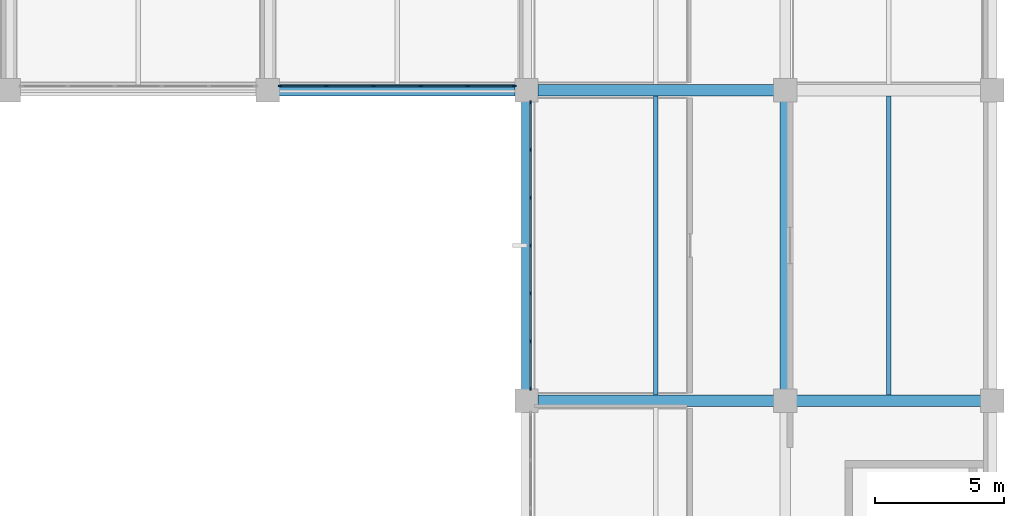
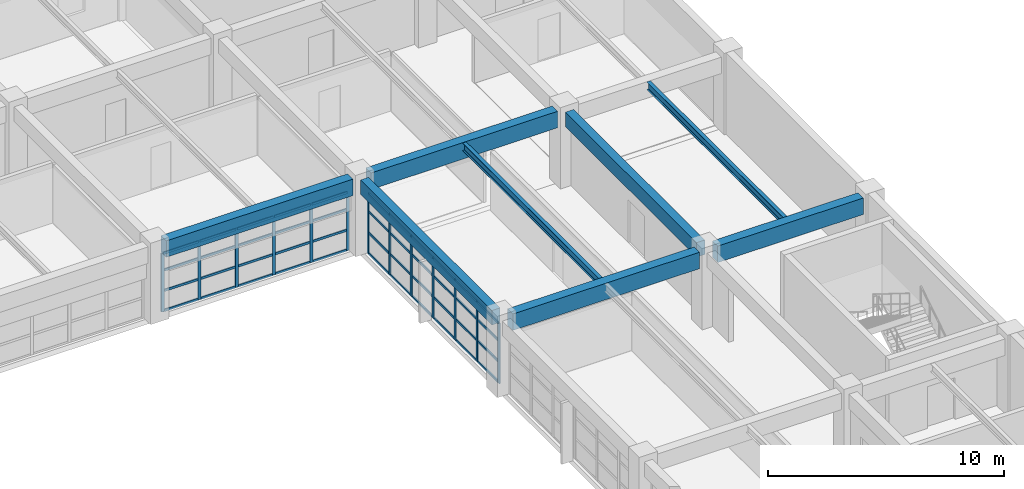
# One storey, part 60 of 100: 57 members, 8 beams, 2 elements without a shape of their own.
"""IFC4 building model written with IfcOpenShell, lengths in metres."""

from ifc_helpers import new_model, si_unit, direction, frame, origin, origin_2d, place, context, subcontext, project, spatial, rectangle, i_section, extrude, material, layer, layer_set, material_profile, profile_set, type_object, element, aggregate, save


model = new_model("IFC4")

# Units and contexts
model_context = context("Model", 3, precision=1e-05, world=origin(), true_north=direction((0.0, 1.0)))
body_context = subcontext(model_context, "Body", "Model", "MODEL_VIEW")
ifc_project = project(units=[si_unit("LENGTHUNIT", "METRE"), si_unit("AREAUNIT", "SQUARE_METRE"), si_unit("VOLUMEUNIT", "CUBIC_METRE"), si_unit("PLANEANGLEUNIT", "RADIAN"), si_unit("MASSUNIT", "GRAM", prefix="KILO")], contexts=[model_context])

# Site, building, storey
site_placement = place(None, origin())
site = spatial("IfcSite", under=ifc_project, at=site_placement, CompositionType="ELEMENT")
building_placement = place(site_placement, origin())
building = spatial("IfcBuilding", under=site, at=building_placement, Name="Kivolera Central Railway Station", CompositionType="ELEMENT")
storey_placement = place(building_placement, frame((0.0, 0.0, 5.39990234375)))
storey = spatial("IfcBuildingStorey", under=building, at=storey_placement, Name="L01", CompositionType="ELEMENT", Elevation=5.39990234375)

# Beams
ifc_material_1 = material(Name="Steel S355", Category="steel")
ifc_material_profile_1 = material_profile(ifc_material_1, i_section(OverallWidth=0.179931640625, OverallDepth=0.39990234375, WebThickness=0.008544921875, FlangeThickness=0.013427734375, FilletRadius=0.02099609375, at=origin_2d()), Name="IPE 400")
ifc_profile_set_1 = profile_set([ifc_material_profile_1], Name="Steel S355")
beam_type_1 = type_object("IfcBeamType", Name="BM-JST-IPE400", PredefinedType="JOIST", material=ifc_profile_set_1)
for number, where, z_axis, x_axis, name in (
    (1, (183.0, 102.217041015625, 3.668212890625), (0.0, 1.0, 0.0), (-1.0, 0.0, 0.0), "L01 Floor Joist 18-19/J-K"),
    (2, (192.0, 102.217041015625, 3.668212890625), (0.0, 1.0, 0.0), (-1.0, 0.0, 0.0), "L01 Floor Joist 19-20/J-K"),
):
    element("IfcBeam", number, at=place(storey_placement, frame(where, z_axis=z_axis, x_axis=x_axis)), inside=storey, type_object=beam_type_1, Name=name, PredefinedType="JOIST", context=body_context, shape_type="SweptSolid", body=[
        extrude(i_section(OverallWidth=0.179931640625, OverallDepth=0.39990234375, WebThickness=0.008544921875, FlangeThickness=0.013427734375, FilletRadius=0.02099609375, at=origin_2d()), origin(), (0.0, 0.0, 1.0), 11.56591796875),
    ])
ifc_material_2 = material(Name="Concrete C40/50", Category="concrete")
ifc_material_profile_2 = material_profile(ifc_material_2, rectangle(XDim=0.39990234375, YDim=0.75, at=origin_2d()), Name="RC 400x750")
ifc_profile_set_2 = profile_set([ifc_material_profile_2], Name="Concrete C40/50")
beam_type_2 = type_object("IfcBeamType", Name="BM-RC-400x750", PredefinedType="BEAM", material=ifc_profile_set_2)
for number, where, z_axis, x_axis, name in (
    (3, (178.0, 102.44189453125, 3.505126953125), (0.0, 1.0, 0.0), (-1.0, 0.0, 0.0), "L01 Wing Y-Beam 18:J-K"),
    (4, (188.0, 102.44189453125, 3.505126953125), (0.0, 1.0, 0.0), (-1.0, 0.0, 0.0), "L01 Wing Y-Beam 19:J-K"),
):
    element("IfcBeam", number, at=place(storey_placement, frame(where, z_axis=z_axis, x_axis=x_axis)), inside=storey, type_object=beam_type_2, Name=name, PredefinedType="BEAM", context=body_context, shape_type="SweptSolid", body=[
        extrude(rectangle(XDim=0.39990234375, YDim=0.75, at=origin_2d()), origin(), (0.0, 0.0, 1.0), 11.1162109375),
    ])
ifc_material_profile_3 = material_profile(ifc_material_2, rectangle(XDim=0.449951171875, YDim=0.85009765625, at=origin_2d()), Name="RC 450x850")
ifc_profile_set_3 = profile_set([ifc_material_profile_3], Name="Concrete C40/50")
beam_type_3 = type_object("IfcBeamType", Name="BM-RC-450x850", PredefinedType="BEAM", material=ifc_profile_set_3)
beam_1_placement = place(storey_placement, frame((178.44189453125, 102.0, 3.455078125), z_axis=(1.0, 0.0, 0.0), x_axis=(0.0, 1.0, 0.0)))
element("IfcBeam", 5, at=beam_1_placement, inside=storey, type_object=beam_type_3, Name="L01 Wing X-Beam J:18-19", PredefinedType="BEAM", context=body_context, shape_type="SweptSolid", body=[
    extrude(rectangle(XDim=0.449951171875, YDim=0.85009765625, at=origin_2d()), origin(), (0.0, 0.0, 1.0), 9.1162109375),
])
beam_2_placement = place(storey_placement, frame((188.44189453125, 102.0, 3.455078125), z_axis=(1.0, 0.0, 0.0), x_axis=(0.0, 1.0, 0.0)))
element("IfcBeam", 6, at=beam_2_placement, inside=storey, type_object=beam_type_3, Name="L01 Wing X-Beam J:19-20", PredefinedType="BEAM", context=body_context, shape_type="SweptSolid", body=[
    extrude(rectangle(XDim=0.449951171875, YDim=0.85009765625, at=origin_2d()), origin(), (0.0, 0.0, 1.0), 7.1162109375),
])
for number, where, z_axis, x_axis, name in (
    (7, (168.44189453125, 114.0, 3.455078125), (1.0, 0.0, 0.0), (0.0, 1.0, 0.0), "L01 Wing X-Beam K:17-18"),
    (8, (178.44189453125, 114.0, 3.455078125), (1.0, 0.0, 0.0), (0.0, 1.0, 0.0), "L01 Wing X-Beam K:18-19"),
):
    element("IfcBeam", number, at=place(storey_placement, frame(where, z_axis=z_axis, x_axis=x_axis)), inside=storey, type_object=beam_type_3, Name=name, PredefinedType="BEAM", context=body_context, shape_type="SweptSolid", body=[
        extrude(rectangle(XDim=0.449951171875, YDim=0.85009765625, at=origin_2d()), origin(), (0.0, 0.0, 1.0), 9.1162109375),
    ])

# Curtain wall, members
ifc_material_3 = material(Name="Anodised aluminium", Category="aluminium")
ifc_layer_1 = layer(ifc_material_3, 0.179931640625, Name="Anodised aluminium")
ifc_layer_set_1 = layer_set([ifc_layer_1], Name="Anodised aluminium")
curtain_wall_type_1 = type_object("IfcCurtainWallType", Name="CW-SYS-24", PredefinedType="NOTDEFINED", material=ifc_layer_set_1)
curtain_wall_1_placement = place(storey_placement, origin())
curtain_wall_1 = element("IfcCurtainWall", 9, at=curtain_wall_1_placement, inside=storey, type_object=curtain_wall_type_1, Name="L01 Curtain Wall CW-L01-CRTN-168", PredefinedType="NOTDEFINED")
ifc_material_profile_4 = material_profile(ifc_material_3, rectangle(XDim=0.06005859375, YDim=0.14990234375, at=origin_2d()), Name="ALU MULL 60x150")
ifc_profile_set_4 = profile_set([ifc_material_profile_4], Name="Anodised aluminium")
member_type_1 = type_object("IfcMemberType", Name="CWM-MUL-2", PredefinedType="MULLION", material=ifc_profile_set_4)
member_1_placement = place(storey_placement, frame((177.52490234375, 114.159912109375, -0.0048828125), z_axis=(0.0, 0.0, 1.0), x_axis=(0.0, -1.0, 0.0)))
member_1 = element("IfcMember", 10, at=member_1_placement, type_object=member_type_1, Name="CW-24 mullion 1", PredefinedType="MULLION", context=body_context, shape_type="SweptSolid", body=[
    extrude(rectangle(XDim=0.06005859375, YDim=0.14990234375, at=origin_2d()), origin(), (0.0, 0.0, 1.0), 3.02294921875),
])
member_2_placement = place(storey_placement, frame((175.73291015625, 114.159912109375, -0.0048828125), z_axis=(0.0, 0.0, 1.0), x_axis=(0.0, -1.0, 0.0)))
member_2 = element("IfcMember", 11, at=member_2_placement, type_object=member_type_1, Name="CW-24 mullion 2", PredefinedType="MULLION", context=body_context, shape_type="SweptSolid", body=[
    extrude(rectangle(XDim=0.06005859375, YDim=0.14990234375, at=origin_2d()), origin(), (0.0, 0.0, 1.0), 3.02294921875),
])
member_3_placement = place(storey_placement, frame((173.910888671875, 114.159912109375, -0.0048828125), z_axis=(0.0, 0.0, 1.0), x_axis=(0.0, -1.0, 0.0)))
member_3 = element("IfcMember", 12, at=member_3_placement, type_object=member_type_1, Name="CW-24 mullion 3", PredefinedType="MULLION", context=body_context, shape_type="SweptSolid", body=[
    extrude(rectangle(XDim=0.06005859375, YDim=0.14990234375, at=origin_2d()), origin(), (0.0, 0.0, 1.0), 3.02294921875),
])
member_4_placement = place(storey_placement, frame((172.089111328125, 114.159912109375, -0.0048828125), z_axis=(0.0, 0.0, 1.0), x_axis=(0.0, -1.0, 0.0)))
member_4 = element("IfcMember", 13, at=member_4_placement, type_object=member_type_1, Name="CW-24 mullion 4", PredefinedType="MULLION", context=body_context, shape_type="SweptSolid", body=[
    extrude(rectangle(XDim=0.06005859375, YDim=0.14990234375, at=origin_2d()), origin(), (0.0, 0.0, 1.0), 3.02294921875),
])
member_5_placement = place(storey_placement, frame((170.26708984375, 114.159912109375, -0.0048828125), z_axis=(0.0, 0.0, 1.0), x_axis=(0.0, -1.0, 0.0)))
member_5 = element("IfcMember", 14, at=member_5_placement, type_object=member_type_1, Name="CW-24 mullion 5", PredefinedType="MULLION", context=body_context, shape_type="SweptSolid", body=[
    extrude(rectangle(XDim=0.06005859375, YDim=0.14990234375, at=origin_2d()), origin(), (0.0, 0.0, 1.0), 3.02294921875),
])
member_6_placement = place(storey_placement, frame((168.47509765625, 114.159912109375, -0.0048828125), z_axis=(0.0, 0.0, 1.0), x_axis=(0.0, -1.0, 0.0)))
member_6 = element("IfcMember", 15, at=member_6_placement, type_object=member_type_1, Name="CW-24 mullion 6", PredefinedType="MULLION", context=body_context, shape_type="SweptSolid", body=[
    extrude(rectangle(XDim=0.06005859375, YDim=0.14990234375, at=origin_2d()), origin(), (0.0, 0.0, 1.0), 3.02294921875),
])

ifc_layer_2 = layer(ifc_material_3, 0.179931640625, Name="Anodised aluminium")
ifc_layer_set_2 = layer_set([ifc_layer_2], Name="Anodised aluminium")
curtain_wall_type_2 = type_object("IfcCurtainWallType", Name="CW-SYS-25", PredefinedType="NOTDEFINED", material=ifc_layer_set_2)
curtain_wall_2_placement = place(storey_placement, origin())
curtain_wall_2 = element("IfcCurtainWall", 16, at=curtain_wall_2_placement, inside=storey, type_object=curtain_wall_type_2, Name="L01 Curtain Wall CW-L01-CRTE-J", PredefinedType="NOTDEFINED")
member_7_placement = place(storey_placement, frame((178.159912109375, 102.47509765625, -0.0048828125), z_axis=(0.0, 0.0, 1.0), x_axis=(-1.0, 0.0, 0.0)))
member_7 = element("IfcMember", 17, at=member_7_placement, type_object=member_type_1, Name="CW-25 mullion 1", PredefinedType="MULLION", context=body_context, shape_type="SweptSolid", body=[
    extrude(rectangle(XDim=0.06005859375, YDim=0.14990234375, at=origin_2d()), origin(), (0.0, 0.0, 1.0), 3.123046875),
])
member_8_placement = place(storey_placement, frame((178.159912109375, 104.296630859375, -0.0048828125), z_axis=(0.0, 0.0, 1.0), x_axis=(-1.0, 0.0, 0.0)))
member_8 = element("IfcMember", 18, at=member_8_placement, type_object=member_type_1, Name="CW-25 mullion 2", PredefinedType="MULLION", context=body_context, shape_type="SweptSolid", body=[
    extrude(rectangle(XDim=0.06005859375, YDim=0.14990234375, at=origin_2d()), origin(), (0.0, 0.0, 1.0), 3.123046875),
])
member_9_placement = place(storey_placement, frame((178.159912109375, 106.1484375, -0.0048828125), z_axis=(0.0, 0.0, 1.0), x_axis=(-1.0, 0.0, 0.0)))
member_9 = element("IfcMember", 19, at=member_9_placement, type_object=member_type_1, Name="CW-25 mullion 3", PredefinedType="MULLION", context=body_context, shape_type="SweptSolid", body=[
    extrude(rectangle(XDim=0.06005859375, YDim=0.14990234375, at=origin_2d()), origin(), (0.0, 0.0, 1.0), 3.123046875),
])
member_10_placement = place(storey_placement, frame((178.159912109375, 108.0, -0.0048828125), z_axis=(0.0, 0.0, 1.0), x_axis=(-1.0, 0.0, 0.0)))
member_10 = element("IfcMember", 20, at=member_10_placement, type_object=member_type_1, Name="CW-25 mullion 4", PredefinedType="MULLION", context=body_context, shape_type="SweptSolid", body=[
    extrude(rectangle(XDim=0.06005859375, YDim=0.14990234375, at=origin_2d()), origin(), (0.0, 0.0, 1.0), 3.123046875),
])
member_11_placement = place(storey_placement, frame((178.159912109375, 109.8515625, -0.0048828125), z_axis=(0.0, 0.0, 1.0), x_axis=(-1.0, 0.0, 0.0)))
member_11 = element("IfcMember", 21, at=member_11_placement, type_object=member_type_1, Name="CW-25 mullion 5", PredefinedType="MULLION", context=body_context, shape_type="SweptSolid", body=[
    extrude(rectangle(XDim=0.06005859375, YDim=0.14990234375, at=origin_2d()), origin(), (0.0, 0.0, 1.0), 3.123046875),
])
member_12_placement = place(storey_placement, frame((178.159912109375, 111.703369140625, -0.0048828125), z_axis=(0.0, 0.0, 1.0), x_axis=(-1.0, 0.0, 0.0)))
member_12 = element("IfcMember", 22, at=member_12_placement, type_object=member_type_1, Name="CW-25 mullion 6", PredefinedType="MULLION", context=body_context, shape_type="SweptSolid", body=[
    extrude(rectangle(XDim=0.06005859375, YDim=0.14990234375, at=origin_2d()), origin(), (0.0, 0.0, 1.0), 3.123046875),
])
member_13_placement = place(storey_placement, frame((178.159912109375, 113.52490234375, -0.0048828125), z_axis=(0.0, 0.0, 1.0), x_axis=(-1.0, 0.0, 0.0)))
member_13 = element("IfcMember", 23, at=member_13_placement, type_object=member_type_1, Name="CW-25 mullion 7", PredefinedType="MULLION", context=body_context, shape_type="SweptSolid", body=[
    extrude(rectangle(XDim=0.06005859375, YDim=0.14990234375, at=origin_2d()), origin(), (0.0, 0.0, 1.0), 3.123046875),
])

# Member
ifc_material_profile_5 = material_profile(ifc_material_3, rectangle(XDim=0.06005859375, YDim=0.1201171875, at=origin_2d()), Name="ALU TRAN 60x120")
ifc_profile_set_5 = profile_set([ifc_material_profile_5], Name="Anodised aluminium")
member_type_2 = type_object("IfcMemberType", Name="CWM-TRN-2", PredefinedType="USERDEFINED", material=ifc_profile_set_5)
member_14_placement = place(storey_placement, frame((177.4951171875, 114.159912109375, 0.030029296875), z_axis=(-1.0, 0.0, 0.0), x_axis=(0.0, -1.0, 0.0)))
member_14 = element("IfcMember", 24, at=member_14_placement, type_object=member_type_2, Name="CW-24 transom 1.1", ObjectType="TRANSOM", PredefinedType="USERDEFINED", context=body_context, shape_type="SweptSolid", body=[
    extrude(rectangle(XDim=0.06005859375, YDim=0.1201171875, at=origin_2d()), origin(), (0.0, 0.0, 1.0), 1.732177734375),
])

member_15_placement = place(storey_placement, frame((177.4951171875, 114.159912109375, 1.056396484375), z_axis=(-1.0, 0.0, 0.0), x_axis=(0.0, -1.0, 0.0)))
member_15 = element("IfcMember", 25, at=member_15_placement, type_object=member_type_2, Name="CW-24 transom 1.2", ObjectType="TRANSOM", PredefinedType="USERDEFINED", context=body_context, shape_type="SweptSolid", body=[
    extrude(rectangle(XDim=0.06005859375, YDim=0.1201171875, at=origin_2d()), origin(), (0.0, 0.0, 1.0), 1.732177734375),
])

member_16_placement = place(storey_placement, frame((177.4951171875, 114.159912109375, 2.11279296875), z_axis=(-1.0, 0.0, 0.0), x_axis=(0.0, -1.0, 0.0)))
member_16 = element("IfcMember", 26, at=member_16_placement, type_object=member_type_2, Name="CW-24 transom 1.3", ObjectType="TRANSOM", PredefinedType="USERDEFINED", context=body_context, shape_type="SweptSolid", body=[
    extrude(rectangle(XDim=0.06005859375, YDim=0.1201171875, at=origin_2d()), origin(), (0.0, 0.0, 1.0), 1.732177734375),
])

member_17_placement = place(storey_placement, frame((177.4951171875, 114.159912109375, 2.988037109375), z_axis=(-1.0, 0.0, 0.0), x_axis=(0.0, -1.0, 0.0)))
member_17 = element("IfcMember", 27, at=member_17_placement, type_object=member_type_2, Name="CW-24 transom 1.4", ObjectType="TRANSOM", PredefinedType="USERDEFINED", context=body_context, shape_type="SweptSolid", body=[
    extrude(rectangle(XDim=0.06005859375, YDim=0.1201171875, at=origin_2d()), origin(), (0.0, 0.0, 1.0), 1.732177734375),
])

member_18_placement = place(storey_placement, frame((175.702880859375, 114.159912109375, 0.030029296875), z_axis=(-1.0, 0.0, 0.0), x_axis=(0.0, -1.0, 0.0)))
member_18 = element("IfcMember", 28, at=member_18_placement, type_object=member_type_2, Name="CW-24 transom 2.1", ObjectType="TRANSOM", PredefinedType="USERDEFINED", context=body_context, shape_type="SweptSolid", body=[
    extrude(rectangle(XDim=0.06005859375, YDim=0.1201171875, at=origin_2d()), origin(), (0.0, 0.0, 1.0), 1.761962890625),
])

member_19_placement = place(storey_placement, frame((175.702880859375, 114.159912109375, 1.056396484375), z_axis=(-1.0, 0.0, 0.0), x_axis=(0.0, -1.0, 0.0)))
member_19 = element("IfcMember", 29, at=member_19_placement, type_object=member_type_2, Name="CW-24 transom 2.2", ObjectType="TRANSOM", PredefinedType="USERDEFINED", context=body_context, shape_type="SweptSolid", body=[
    extrude(rectangle(XDim=0.06005859375, YDim=0.1201171875, at=origin_2d()), origin(), (0.0, 0.0, 1.0), 1.761962890625),
])

member_20_placement = place(storey_placement, frame((175.702880859375, 114.159912109375, 2.11279296875), z_axis=(-1.0, 0.0, 0.0), x_axis=(0.0, -1.0, 0.0)))
member_20 = element("IfcMember", 30, at=member_20_placement, type_object=member_type_2, Name="CW-24 transom 2.3", ObjectType="TRANSOM", PredefinedType="USERDEFINED", context=body_context, shape_type="SweptSolid", body=[
    extrude(rectangle(XDim=0.06005859375, YDim=0.1201171875, at=origin_2d()), origin(), (0.0, 0.0, 1.0), 1.761962890625),
])

member_21_placement = place(storey_placement, frame((175.702880859375, 114.159912109375, 2.988037109375), z_axis=(-1.0, 0.0, 0.0), x_axis=(0.0, -1.0, 0.0)))
member_21 = element("IfcMember", 31, at=member_21_placement, type_object=member_type_2, Name="CW-24 transom 2.4", ObjectType="TRANSOM", PredefinedType="USERDEFINED", context=body_context, shape_type="SweptSolid", body=[
    extrude(rectangle(XDim=0.06005859375, YDim=0.1201171875, at=origin_2d()), origin(), (0.0, 0.0, 1.0), 1.761962890625),
])

member_22_placement = place(storey_placement, frame((173.881103515625, 114.159912109375, 0.030029296875), z_axis=(-1.0, 0.0, 0.0), x_axis=(0.0, -1.0, 0.0)))
member_22 = element("IfcMember", 32, at=member_22_placement, type_object=member_type_2, Name="CW-24 transom 3.1", ObjectType="TRANSOM", PredefinedType="USERDEFINED", context=body_context, shape_type="SweptSolid", body=[
    extrude(rectangle(XDim=0.06005859375, YDim=0.1201171875, at=origin_2d()), origin(), (0.0, 0.0, 1.0), 1.76220703125),
])

member_23_placement = place(storey_placement, frame((173.881103515625, 114.159912109375, 1.056396484375), z_axis=(-1.0, 0.0, 0.0), x_axis=(0.0, -1.0, 0.0)))
member_23 = element("IfcMember", 33, at=member_23_placement, type_object=member_type_2, Name="CW-24 transom 3.2", ObjectType="TRANSOM", PredefinedType="USERDEFINED", context=body_context, shape_type="SweptSolid", body=[
    extrude(rectangle(XDim=0.06005859375, YDim=0.1201171875, at=origin_2d()), origin(), (0.0, 0.0, 1.0), 1.76220703125),
])

member_24_placement = place(storey_placement, frame((173.881103515625, 114.159912109375, 2.11279296875), z_axis=(-1.0, 0.0, 0.0), x_axis=(0.0, -1.0, 0.0)))
member_24 = element("IfcMember", 34, at=member_24_placement, type_object=member_type_2, Name="CW-24 transom 3.3", ObjectType="TRANSOM", PredefinedType="USERDEFINED", context=body_context, shape_type="SweptSolid", body=[
    extrude(rectangle(XDim=0.06005859375, YDim=0.1201171875, at=origin_2d()), origin(), (0.0, 0.0, 1.0), 1.76220703125),
])

member_25_placement = place(storey_placement, frame((173.881103515625, 114.159912109375, 2.988037109375), z_axis=(-1.0, 0.0, 0.0), x_axis=(0.0, -1.0, 0.0)))
member_25 = element("IfcMember", 35, at=member_25_placement, type_object=member_type_2, Name="CW-24 transom 3.4", ObjectType="TRANSOM", PredefinedType="USERDEFINED", context=body_context, shape_type="SweptSolid", body=[
    extrude(rectangle(XDim=0.06005859375, YDim=0.1201171875, at=origin_2d()), origin(), (0.0, 0.0, 1.0), 1.76220703125),
])

member_26_placement = place(storey_placement, frame((172.05908203125, 114.159912109375, 0.030029296875), z_axis=(-1.0, 0.0, 0.0), x_axis=(0.0, -1.0, 0.0)))
member_26 = element("IfcMember", 36, at=member_26_placement, type_object=member_type_2, Name="CW-24 transom 4.1", ObjectType="TRANSOM", PredefinedType="USERDEFINED", context=body_context, shape_type="SweptSolid", body=[
    extrude(rectangle(XDim=0.06005859375, YDim=0.1201171875, at=origin_2d()), origin(), (0.0, 0.0, 1.0), 1.761962890625),
])

member_27_placement = place(storey_placement, frame((172.05908203125, 114.159912109375, 1.056396484375), z_axis=(-1.0, 0.0, 0.0), x_axis=(0.0, -1.0, 0.0)))
member_27 = element("IfcMember", 37, at=member_27_placement, type_object=member_type_2, Name="CW-24 transom 4.2", ObjectType="TRANSOM", PredefinedType="USERDEFINED", context=body_context, shape_type="SweptSolid", body=[
    extrude(rectangle(XDim=0.06005859375, YDim=0.1201171875, at=origin_2d()), origin(), (0.0, 0.0, 1.0), 1.761962890625),
])

member_28_placement = place(storey_placement, frame((172.05908203125, 114.159912109375, 2.11279296875), z_axis=(-1.0, 0.0, 0.0), x_axis=(0.0, -1.0, 0.0)))
member_28 = element("IfcMember", 38, at=member_28_placement, type_object=member_type_2, Name="CW-24 transom 4.3", ObjectType="TRANSOM", PredefinedType="USERDEFINED", context=body_context, shape_type="SweptSolid", body=[
    extrude(rectangle(XDim=0.06005859375, YDim=0.1201171875, at=origin_2d()), origin(), (0.0, 0.0, 1.0), 1.761962890625),
])

member_29_placement = place(storey_placement, frame((172.05908203125, 114.159912109375, 2.988037109375), z_axis=(-1.0, 0.0, 0.0), x_axis=(0.0, -1.0, 0.0)))
member_29 = element("IfcMember", 39, at=member_29_placement, type_object=member_type_2, Name="CW-24 transom 4.4", ObjectType="TRANSOM", PredefinedType="USERDEFINED", context=body_context, shape_type="SweptSolid", body=[
    extrude(rectangle(XDim=0.06005859375, YDim=0.1201171875, at=origin_2d()), origin(), (0.0, 0.0, 1.0), 1.761962890625),
])

member_30_placement = place(storey_placement, frame((170.237060546875, 114.159912109375, 0.030029296875), z_axis=(-1.0, 0.0, 0.0), x_axis=(0.0, -1.0, 0.0)))
member_30 = element("IfcMember", 40, at=member_30_placement, type_object=member_type_2, Name="CW-24 transom 5.1", ObjectType="TRANSOM", PredefinedType="USERDEFINED", context=body_context, shape_type="SweptSolid", body=[
    extrude(rectangle(XDim=0.06005859375, YDim=0.1201171875, at=origin_2d()), origin(), (0.0, 0.0, 1.0), 1.732177734375),
])

member_31_placement = place(storey_placement, frame((170.237060546875, 114.159912109375, 1.056396484375), z_axis=(-1.0, 0.0, 0.0), x_axis=(0.0, -1.0, 0.0)))
member_31 = element("IfcMember", 41, at=member_31_placement, type_object=member_type_2, Name="CW-24 transom 5.2", ObjectType="TRANSOM", PredefinedType="USERDEFINED", context=body_context, shape_type="SweptSolid", body=[
    extrude(rectangle(XDim=0.06005859375, YDim=0.1201171875, at=origin_2d()), origin(), (0.0, 0.0, 1.0), 1.732177734375),
])

member_32_placement = place(storey_placement, frame((170.237060546875, 114.159912109375, 2.11279296875), z_axis=(-1.0, 0.0, 0.0), x_axis=(0.0, -1.0, 0.0)))
member_32 = element("IfcMember", 42, at=member_32_placement, type_object=member_type_2, Name="CW-24 transom 5.3", ObjectType="TRANSOM", PredefinedType="USERDEFINED", context=body_context, shape_type="SweptSolid", body=[
    extrude(rectangle(XDim=0.06005859375, YDim=0.1201171875, at=origin_2d()), origin(), (0.0, 0.0, 1.0), 1.732177734375),
])

member_33_placement = place(storey_placement, frame((170.237060546875, 114.159912109375, 2.988037109375), z_axis=(-1.0, 0.0, 0.0), x_axis=(0.0, -1.0, 0.0)))
member_33 = element("IfcMember", 43, at=member_33_placement, type_object=member_type_2, Name="CW-24 transom 5.4", ObjectType="TRANSOM", PredefinedType="USERDEFINED", context=body_context, shape_type="SweptSolid", body=[
    extrude(rectangle(XDim=0.06005859375, YDim=0.1201171875, at=origin_2d()), origin(), (0.0, 0.0, 1.0), 1.732177734375),
])

aggregate(curtain_wall_1, [member_1, member_2, member_3, member_4, member_5, member_6, member_14, member_15, member_16, member_17, member_18, member_19, member_20, member_21, member_22, member_23, member_24, member_25, member_26, member_27, member_28, member_29, member_30, member_31, member_32, member_33])

member_34_placement = place(storey_placement, frame((178.159912109375, 102.5048828125, 0.030029296875), z_axis=(0.0, 1.0, 0.0), x_axis=(-1.0, 0.0, 0.0)))
member_34 = element("IfcMember", 44, at=member_34_placement, type_object=member_type_2, Name="CW-25 transom 1.1", ObjectType="TRANSOM", PredefinedType="USERDEFINED", context=body_context, shape_type="SweptSolid", body=[
    extrude(rectangle(XDim=0.06005859375, YDim=0.1201171875, at=origin_2d()), origin(), (0.0, 0.0, 1.0), 1.76171875),
])

member_35_placement = place(storey_placement, frame((178.159912109375, 102.5048828125, 1.09130859375), z_axis=(0.0, 1.0, 0.0), x_axis=(-1.0, 0.0, 0.0)))
member_35 = element("IfcMember", 45, at=member_35_placement, type_object=member_type_2, Name="CW-25 transom 1.2", ObjectType="TRANSOM", PredefinedType="USERDEFINED", context=body_context, shape_type="SweptSolid", body=[
    extrude(rectangle(XDim=0.06005859375, YDim=0.1201171875, at=origin_2d()), origin(), (0.0, 0.0, 1.0), 1.76171875),
])

member_36_placement = place(storey_placement, frame((178.159912109375, 102.5048828125, 2.1826171875), z_axis=(0.0, 1.0, 0.0), x_axis=(-1.0, 0.0, 0.0)))
member_36 = element("IfcMember", 46, at=member_36_placement, type_object=member_type_2, Name="CW-25 transom 1.3", ObjectType="TRANSOM", PredefinedType="USERDEFINED", context=body_context, shape_type="SweptSolid", body=[
    extrude(rectangle(XDim=0.06005859375, YDim=0.1201171875, at=origin_2d()), origin(), (0.0, 0.0, 1.0), 1.76171875),
])

member_37_placement = place(storey_placement, frame((178.159912109375, 102.5048828125, 3.088134765625), z_axis=(0.0, 1.0, 0.0), x_axis=(-1.0, 0.0, 0.0)))
member_37 = element("IfcMember", 47, at=member_37_placement, type_object=member_type_2, Name="CW-25 transom 1.4", ObjectType="TRANSOM", PredefinedType="USERDEFINED", context=body_context, shape_type="SweptSolid", body=[
    extrude(rectangle(XDim=0.06005859375, YDim=0.1201171875, at=origin_2d()), origin(), (0.0, 0.0, 1.0), 1.76171875),
])

member_38_placement = place(storey_placement, frame((178.159912109375, 104.32666015625, 0.030029296875), z_axis=(0.0, 1.0, 0.0), x_axis=(-1.0, 0.0, 0.0)))
member_38 = element("IfcMember", 48, at=member_38_placement, type_object=member_type_2, Name="CW-25 transom 2.1", ObjectType="TRANSOM", PredefinedType="USERDEFINED", context=body_context, shape_type="SweptSolid", body=[
    extrude(rectangle(XDim=0.06005859375, YDim=0.1201171875, at=origin_2d()), origin(), (0.0, 0.0, 1.0), 1.791748046875),
])

member_39_placement = place(storey_placement, frame((178.159912109375, 104.32666015625, 1.09130859375), z_axis=(0.0, 1.0, 0.0), x_axis=(-1.0, 0.0, 0.0)))
member_39 = element("IfcMember", 49, at=member_39_placement, type_object=member_type_2, Name="CW-25 transom 2.2", ObjectType="TRANSOM", PredefinedType="USERDEFINED", context=body_context, shape_type="SweptSolid", body=[
    extrude(rectangle(XDim=0.06005859375, YDim=0.1201171875, at=origin_2d()), origin(), (0.0, 0.0, 1.0), 1.791748046875),
])

member_40_placement = place(storey_placement, frame((178.159912109375, 104.32666015625, 2.1826171875), z_axis=(0.0, 1.0, 0.0), x_axis=(-1.0, 0.0, 0.0)))
member_40 = element("IfcMember", 50, at=member_40_placement, type_object=member_type_2, Name="CW-25 transom 2.3", ObjectType="TRANSOM", PredefinedType="USERDEFINED", context=body_context, shape_type="SweptSolid", body=[
    extrude(rectangle(XDim=0.06005859375, YDim=0.1201171875, at=origin_2d()), origin(), (0.0, 0.0, 1.0), 1.791748046875),
])

member_41_placement = place(storey_placement, frame((178.159912109375, 104.32666015625, 3.088134765625), z_axis=(0.0, 1.0, 0.0), x_axis=(-1.0, 0.0, 0.0)))
member_41 = element("IfcMember", 51, at=member_41_placement, type_object=member_type_2, Name="CW-25 transom 2.4", ObjectType="TRANSOM", PredefinedType="USERDEFINED", context=body_context, shape_type="SweptSolid", body=[
    extrude(rectangle(XDim=0.06005859375, YDim=0.1201171875, at=origin_2d()), origin(), (0.0, 0.0, 1.0), 1.791748046875),
])

member_42_placement = place(storey_placement, frame((178.159912109375, 106.17822265625, 0.030029296875), z_axis=(0.0, 1.0, 0.0), x_axis=(-1.0, 0.0, 0.0)))
member_42 = element("IfcMember", 52, at=member_42_placement, type_object=member_type_2, Name="CW-25 transom 3.1", ObjectType="TRANSOM", PredefinedType="USERDEFINED", context=body_context, shape_type="SweptSolid", body=[
    extrude(rectangle(XDim=0.06005859375, YDim=0.1201171875, at=origin_2d()), origin(), (0.0, 0.0, 1.0), 1.791748046875),
])

member_43_placement = place(storey_placement, frame((178.159912109375, 106.17822265625, 1.09130859375), z_axis=(0.0, 1.0, 0.0), x_axis=(-1.0, 0.0, 0.0)))
member_43 = element("IfcMember", 53, at=member_43_placement, type_object=member_type_2, Name="CW-25 transom 3.2", ObjectType="TRANSOM", PredefinedType="USERDEFINED", context=body_context, shape_type="SweptSolid", body=[
    extrude(rectangle(XDim=0.06005859375, YDim=0.1201171875, at=origin_2d()), origin(), (0.0, 0.0, 1.0), 1.791748046875),
])

member_44_placement = place(storey_placement, frame((178.159912109375, 106.17822265625, 2.1826171875), z_axis=(0.0, 1.0, 0.0), x_axis=(-1.0, 0.0, 0.0)))
member_44 = element("IfcMember", 54, at=member_44_placement, type_object=member_type_2, Name="CW-25 transom 3.3", ObjectType="TRANSOM", PredefinedType="USERDEFINED", context=body_context, shape_type="SweptSolid", body=[
    extrude(rectangle(XDim=0.06005859375, YDim=0.1201171875, at=origin_2d()), origin(), (0.0, 0.0, 1.0), 1.791748046875),
])

member_45_placement = place(storey_placement, frame((178.159912109375, 106.17822265625, 3.088134765625), z_axis=(0.0, 1.0, 0.0), x_axis=(-1.0, 0.0, 0.0)))
member_45 = element("IfcMember", 55, at=member_45_placement, type_object=member_type_2, Name="CW-25 transom 3.4", ObjectType="TRANSOM", PredefinedType="USERDEFINED", context=body_context, shape_type="SweptSolid", body=[
    extrude(rectangle(XDim=0.06005859375, YDim=0.1201171875, at=origin_2d()), origin(), (0.0, 0.0, 1.0), 1.791748046875),
])

member_46_placement = place(storey_placement, frame((178.159912109375, 108.030029296875, 0.030029296875), z_axis=(0.0, 1.0, 0.0), x_axis=(-1.0, 0.0, 0.0)))
member_46 = element("IfcMember", 56, at=member_46_placement, type_object=member_type_2, Name="CW-25 transom 4.1", ObjectType="TRANSOM", PredefinedType="USERDEFINED", context=body_context, shape_type="SweptSolid", body=[
    extrude(rectangle(XDim=0.06005859375, YDim=0.1201171875, at=origin_2d()), origin(), (0.0, 0.0, 1.0), 1.791748046875),
])

member_47_placement = place(storey_placement, frame((178.159912109375, 108.030029296875, 1.09130859375), z_axis=(0.0, 1.0, 0.0), x_axis=(-1.0, 0.0, 0.0)))
member_47 = element("IfcMember", 57, at=member_47_placement, type_object=member_type_2, Name="CW-25 transom 4.2", ObjectType="TRANSOM", PredefinedType="USERDEFINED", context=body_context, shape_type="SweptSolid", body=[
    extrude(rectangle(XDim=0.06005859375, YDim=0.1201171875, at=origin_2d()), origin(), (0.0, 0.0, 1.0), 1.791748046875),
])

member_48_placement = place(storey_placement, frame((178.159912109375, 108.030029296875, 2.1826171875), z_axis=(0.0, 1.0, 0.0), x_axis=(-1.0, 0.0, 0.0)))
member_48 = element("IfcMember", 58, at=member_48_placement, type_object=member_type_2, Name="CW-25 transom 4.3", ObjectType="TRANSOM", PredefinedType="USERDEFINED", context=body_context, shape_type="SweptSolid", body=[
    extrude(rectangle(XDim=0.06005859375, YDim=0.1201171875, at=origin_2d()), origin(), (0.0, 0.0, 1.0), 1.791748046875),
])

member_49_placement = place(storey_placement, frame((178.159912109375, 108.030029296875, 3.088134765625), z_axis=(0.0, 1.0, 0.0), x_axis=(-1.0, 0.0, 0.0)))
member_49 = element("IfcMember", 59, at=member_49_placement, type_object=member_type_2, Name="CW-25 transom 4.4", ObjectType="TRANSOM", PredefinedType="USERDEFINED", context=body_context, shape_type="SweptSolid", body=[
    extrude(rectangle(XDim=0.06005859375, YDim=0.1201171875, at=origin_2d()), origin(), (0.0, 0.0, 1.0), 1.791748046875),
])

member_50_placement = place(storey_placement, frame((178.159912109375, 109.881591796875, 0.030029296875), z_axis=(0.0, 1.0, 0.0), x_axis=(-1.0, 0.0, 0.0)))
member_50 = element("IfcMember", 60, at=member_50_placement, type_object=member_type_2, Name="CW-25 transom 5.1", ObjectType="TRANSOM", PredefinedType="USERDEFINED", context=body_context, shape_type="SweptSolid", body=[
    extrude(rectangle(XDim=0.06005859375, YDim=0.1201171875, at=origin_2d()), origin(), (0.0, 0.0, 1.0), 1.791748046875),
])

member_51_placement = place(storey_placement, frame((178.159912109375, 109.881591796875, 1.09130859375), z_axis=(0.0, 1.0, 0.0), x_axis=(-1.0, 0.0, 0.0)))
member_51 = element("IfcMember", 61, at=member_51_placement, type_object=member_type_2, Name="CW-25 transom 5.2", ObjectType="TRANSOM", PredefinedType="USERDEFINED", context=body_context, shape_type="SweptSolid", body=[
    extrude(rectangle(XDim=0.06005859375, YDim=0.1201171875, at=origin_2d()), origin(), (0.0, 0.0, 1.0), 1.791748046875),
])

member_52_placement = place(storey_placement, frame((178.159912109375, 109.881591796875, 2.1826171875), z_axis=(0.0, 1.0, 0.0), x_axis=(-1.0, 0.0, 0.0)))
member_52 = element("IfcMember", 62, at=member_52_placement, type_object=member_type_2, Name="CW-25 transom 5.3", ObjectType="TRANSOM", PredefinedType="USERDEFINED", context=body_context, shape_type="SweptSolid", body=[
    extrude(rectangle(XDim=0.06005859375, YDim=0.1201171875, at=origin_2d()), origin(), (0.0, 0.0, 1.0), 1.791748046875),
])

member_53_placement = place(storey_placement, frame((178.159912109375, 109.881591796875, 3.088134765625), z_axis=(0.0, 1.0, 0.0), x_axis=(-1.0, 0.0, 0.0)))
member_53 = element("IfcMember", 63, at=member_53_placement, type_object=member_type_2, Name="CW-25 transom 5.4", ObjectType="TRANSOM", PredefinedType="USERDEFINED", context=body_context, shape_type="SweptSolid", body=[
    extrude(rectangle(XDim=0.06005859375, YDim=0.1201171875, at=origin_2d()), origin(), (0.0, 0.0, 1.0), 1.791748046875),
])

member_54_placement = place(storey_placement, frame((178.159912109375, 111.7333984375, 0.030029296875), z_axis=(0.0, 1.0, 0.0), x_axis=(-1.0, 0.0, 0.0)))
member_54 = element("IfcMember", 64, at=member_54_placement, type_object=member_type_2, Name="CW-25 transom 6.1", ObjectType="TRANSOM", PredefinedType="USERDEFINED", context=body_context, shape_type="SweptSolid", body=[
    extrude(rectangle(XDim=0.06005859375, YDim=0.1201171875, at=origin_2d()), origin(), (0.0, 0.0, 1.0), 1.76171875),
])

member_55_placement = place(storey_placement, frame((178.159912109375, 111.7333984375, 1.09130859375), z_axis=(0.0, 1.0, 0.0), x_axis=(-1.0, 0.0, 0.0)))
member_55 = element("IfcMember", 65, at=member_55_placement, type_object=member_type_2, Name="CW-25 transom 6.2", ObjectType="TRANSOM", PredefinedType="USERDEFINED", context=body_context, shape_type="SweptSolid", body=[
    extrude(rectangle(XDim=0.06005859375, YDim=0.1201171875, at=origin_2d()), origin(), (0.0, 0.0, 1.0), 1.76171875),
])

member_56_placement = place(storey_placement, frame((178.159912109375, 111.7333984375, 2.1826171875), z_axis=(0.0, 1.0, 0.0), x_axis=(-1.0, 0.0, 0.0)))
member_56 = element("IfcMember", 66, at=member_56_placement, type_object=member_type_2, Name="CW-25 transom 6.3", ObjectType="TRANSOM", PredefinedType="USERDEFINED", context=body_context, shape_type="SweptSolid", body=[
    extrude(rectangle(XDim=0.06005859375, YDim=0.1201171875, at=origin_2d()), origin(), (0.0, 0.0, 1.0), 1.76171875),
])

member_57_placement = place(storey_placement, frame((178.159912109375, 111.7333984375, 3.088134765625), z_axis=(0.0, 1.0, 0.0), x_axis=(-1.0, 0.0, 0.0)))
member_57 = element("IfcMember", 67, at=member_57_placement, type_object=member_type_2, Name="CW-25 transom 6.4", ObjectType="TRANSOM", PredefinedType="USERDEFINED", context=body_context, shape_type="SweptSolid", body=[
    extrude(rectangle(XDim=0.06005859375, YDim=0.1201171875, at=origin_2d()), origin(), (0.0, 0.0, 1.0), 1.76171875),
])

aggregate(curtain_wall_2, [member_7, member_8, member_9, member_10, member_11, member_12, member_13, member_34, member_35, member_36, member_37, member_38, member_39, member_40, member_41, member_42, member_43, member_44, member_45, member_46, member_47, member_48, member_49, member_50, member_51, member_52, member_53, member_54, member_55, member_56, member_57])

save(model, "model.ifc")
